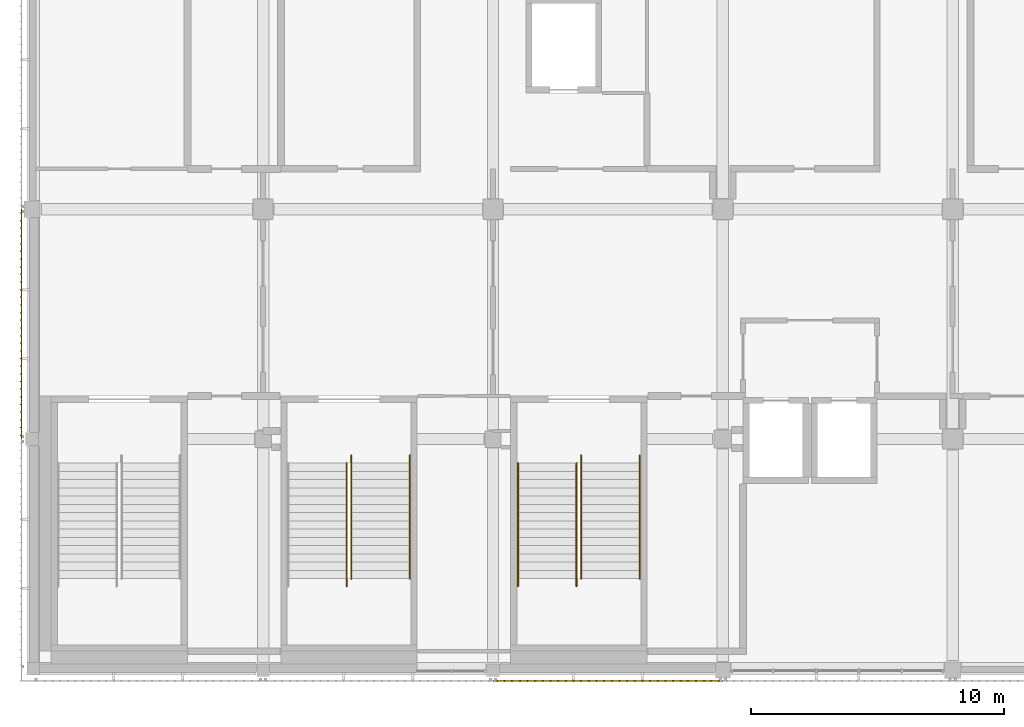
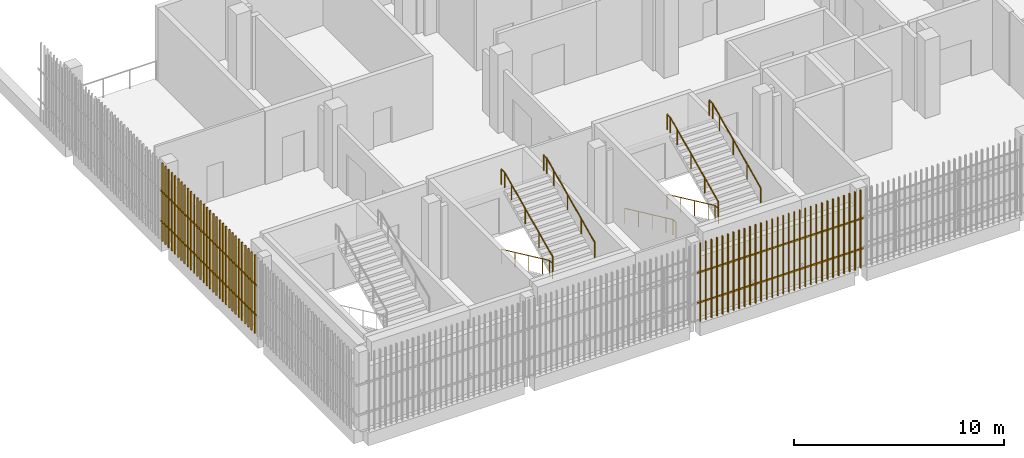
# One storey, part 88 of 104: 7 railings, 2 shading devices.
"""IFC4 building model written with IfcOpenShell, lengths in metres."""

from ifc_helpers import new_model, si_unit, direction, frame, origin, origin_2d, place, context, subcontext, project, spatial, rectangle, circle, extrude, material, type_object, element, save


model = new_model("IFC4")

# Units and contexts
model_context = context("Model", 3, precision=1e-05, world=origin(), true_north=direction((0.0, 1.0)))
body_context = subcontext(model_context, "Body", "Model", "MODEL_VIEW")
ifc_project = project(units=[si_unit("LENGTHUNIT", "METRE"), si_unit("AREAUNIT", "SQUARE_METRE"), si_unit("VOLUMEUNIT", "CUBIC_METRE"), si_unit("PLANEANGLEUNIT", "RADIAN"), si_unit("MASSUNIT", "GRAM", prefix="KILO")], contexts=[model_context])

# Site, building, storey
site_placement = place(None, origin())
site = spatial("IfcSite", under=ifc_project, at=site_placement, CompositionType="ELEMENT")
building_placement = place(site_placement, origin())
building = spatial("IfcBuilding", under=site, at=building_placement, Name="Shirokan Park Arena", CompositionType="ELEMENT")
storey_placement = place(building_placement, frame((0.0, 0.0, 10.919921875)))
storey = spatial("IfcBuildingStorey", under=building, at=storey_placement, Name="L02", CompositionType="ELEMENT", Elevation=10.919921875)

# Railings
ifc_material_1 = material(Name="Stainless steel", Category="steel")
railing_type = type_object("IfcRailingType", Name="Stair handrail 900", PredefinedType="HANDRAIL", material=ifc_material_1)
railing_1_placement = place(storey_placement, frame((12.409912109375, 8.14990234375, 0.15185546875)))
element("IfcRailing", 1, at=railing_1_placement, inside=storey, type_object=railing_type, Name="Handrail Exit Stair 1.B L02 to L03", PredefinedType="HANDRAIL", context=body_context, shape_type="SweptSolid", body=[
    extrude(circle(Radius=0.02392578125, at=origin_2d()), frame((0.0, 0.0, 0.8759765625), z_axis=(0.0, -0.907064445915, 0.420991794405), x_axis=(1.0, 0.0, 0.0)), (0.0, 0.0, 1.0), 1.4404296875),
    extrude(circle(Radius=0.02392578125, at=origin_2d()), frame((0.0, -1.306640625, 1.482421875), z_axis=(0.0, -0.907029769225, 0.421066500378), x_axis=(1.0, 0.0, 0.0)), (0.0, 0.0, 1.0), 1.44091796875),
    extrude(circle(Radius=0.02392578125, at=origin_2d()), frame((0.0, -2.613525390625, 2.0888671875), z_axis=(0.0, -0.907029769225, 0.421066500378), x_axis=(1.0, 0.0, 0.0)), (0.0, 0.0, 1.0), 1.44091796875),
    extrude(circle(Radius=0.02392578125, at=origin_2d()), frame((0.0, -3.92041015625, 2.69580078125), z_axis=(0.0, -0.906934982928, 0.421270621741), x_axis=(1.0, 0.0, 0.0)), (0.0, 0.0, 1.0), 0.720458984375),
    extrude(circle(Radius=0.02392578125, at=origin_2d()), frame((0.0, -4.57373046875, 2.9990234375), z_axis=(0.0, -1.0, 0.0), x_axis=(1.0, 0.0, 0.0)), (0.0, 0.0, 1.0), 0.300048828125),
    extrude(circle(Radius=0.02099609375, at=origin_2d()), origin(), (0.0, 0.0, 1.0), 0.851806640625),
    extrude(circle(Radius=0.02099609375, at=origin_2d()), frame((0.0, -1.306640625, 0.6064453125)), (0.0, 0.0, 1.0), 0.851806640625),
    extrude(circle(Radius=0.02099609375, at=origin_2d()), frame((0.0, -2.613525390625, 1.213134765625)), (0.0, 0.0, 1.0), 0.851806640625),
    extrude(circle(Radius=0.02099609375, at=origin_2d()), frame((0.0, -3.92041015625, 1.81982421875)), (0.0, 0.0, 1.0), 0.851806640625),
    extrude(circle(Radius=0.02099609375, at=origin_2d()), frame((0.0, -4.57373046875, 2.123291015625)), (0.0, 0.0, 1.0), 0.851806640625),
    extrude(circle(Radius=0.02099609375, at=origin_2d()), frame((0.0, -4.873779296875, 2.123291015625)), (0.0, 0.0, 1.0), 0.851806640625),
])
railing_2_placement = place(storey_placement, frame((12.590087890625, 3.576171875, 2.4267578125)))
element("IfcRailing", 2, at=railing_2_placement, inside=storey, type_object=railing_type, Name="Handrail Exit Stair 1.B L02 to L03", PredefinedType="HANDRAIL", context=body_context, shape_type="SweptSolid", body=[
    extrude(circle(Radius=0.02392578125, at=origin_2d()), frame((0.0, 0.0, 0.8759765625), z_axis=(0.0, 0.907029769225, 0.421066500378), x_axis=(-1.0, 0.0, 0.0)), (0.0, 0.0, 1.0), 1.44091796875),
    extrude(circle(Radius=0.02392578125, at=origin_2d()), frame((0.0, 1.306884765625, 1.482421875), z_axis=(0.0, 0.906999720516, 0.421131222998), x_axis=(-1.0, 0.0, 0.0)), (0.0, 0.0, 1.0), 1.440673828125),
    extrude(circle(Radius=0.02392578125, at=origin_2d()), frame((0.0, 2.613525390625, 2.08935546875), z_axis=(0.0, 0.907029769225, 0.421066500378), x_axis=(-1.0, 0.0, 0.0)), (0.0, 0.0, 1.0), 1.44091796875),
    extrude(circle(Radius=0.02392578125, at=origin_2d()), frame((0.0, 3.92041015625, 2.69580078125), z_axis=(0.0, 0.907064445915, 0.420991794405), x_axis=(-1.0, 0.0, 0.0)), (0.0, 0.0, 1.0), 0.72021484375),
    extrude(circle(Radius=0.02392578125, at=origin_2d()), frame((0.0, 4.57373046875, 2.9990234375), z_axis=(0.0, 1.0, 0.0), x_axis=(-1.0, 0.0, 0.0)), (0.0, 0.0, 1.0), 0.300048828125),
    extrude(circle(Radius=0.02099609375, at=origin_2d()), origin(), (0.0, 0.0, 1.0), 0.851806640625),
    extrude(circle(Radius=0.02099609375, at=origin_2d()), frame((0.0, 1.306884765625, 0.606689453125)), (0.0, 0.0, 1.0), 0.851806640625),
    extrude(circle(Radius=0.02099609375, at=origin_2d()), frame((0.0, 2.613525390625, 1.21337890625)), (0.0, 0.0, 1.0), 0.851806640625),
    extrude(circle(Radius=0.02099609375, at=origin_2d()), frame((0.0, 3.92041015625, 1.820068359375)), (0.0, 0.0, 1.0), 0.851806640625),
    extrude(circle(Radius=0.02099609375, at=origin_2d()), frame((0.0, 4.57373046875, 2.123291015625)), (0.0, 0.0, 1.0), 0.851806640625),
    extrude(circle(Radius=0.02099609375, at=origin_2d()), frame((0.0, 4.873779296875, 2.123291015625)), (0.0, 0.0, 1.0), 0.851806640625),
])
railing_3_placement = place(storey_placement, frame((14.909912109375, 3.576171875, 2.4267578125)))
element("IfcRailing", 3, at=railing_3_placement, inside=storey, type_object=railing_type, Name="Handrail Exit Stair 1.B L02 to L03", PredefinedType="HANDRAIL", context=body_context, shape_type="SweptSolid", body=[
    extrude(circle(Radius=0.02392578125, at=origin_2d()), frame((0.0, 0.0, 0.8759765625), z_axis=(0.0, 0.907029769225, 0.421066500378), x_axis=(-1.0, 0.0, 0.0)), (0.0, 0.0, 1.0), 1.44091796875),
    extrude(circle(Radius=0.02392578125, at=origin_2d()), frame((0.0, 1.306884765625, 1.482421875), z_axis=(0.0, 0.906999720516, 0.421131222998), x_axis=(-1.0, 0.0, 0.0)), (0.0, 0.0, 1.0), 1.440673828125),
    extrude(circle(Radius=0.02392578125, at=origin_2d()), frame((0.0, 2.613525390625, 2.08935546875), z_axis=(0.0, 0.907029769225, 0.421066500378), x_axis=(-1.0, 0.0, 0.0)), (0.0, 0.0, 1.0), 1.44091796875),
    extrude(circle(Radius=0.02392578125, at=origin_2d()), frame((0.0, 3.92041015625, 2.69580078125), z_axis=(0.0, 0.907064445915, 0.420991794405), x_axis=(-1.0, 0.0, 0.0)), (0.0, 0.0, 1.0), 0.72021484375),
    extrude(circle(Radius=0.02392578125, at=origin_2d()), frame((0.0, 4.57373046875, 2.9990234375), z_axis=(0.0, 1.0, 0.0), x_axis=(-1.0, 0.0, 0.0)), (0.0, 0.0, 1.0), 0.300048828125),
    extrude(circle(Radius=0.02099609375, at=origin_2d()), origin(), (0.0, 0.0, 1.0), 0.851806640625),
    extrude(circle(Radius=0.02099609375, at=origin_2d()), frame((0.0, 1.306884765625, 0.606689453125)), (0.0, 0.0, 1.0), 0.851806640625),
    extrude(circle(Radius=0.02099609375, at=origin_2d()), frame((0.0, 2.613525390625, 1.21337890625)), (0.0, 0.0, 1.0), 0.851806640625),
    extrude(circle(Radius=0.02099609375, at=origin_2d()), frame((0.0, 3.92041015625, 1.820068359375)), (0.0, 0.0, 1.0), 0.851806640625),
    extrude(circle(Radius=0.02099609375, at=origin_2d()), frame((0.0, 4.57373046875, 2.123291015625)), (0.0, 0.0, 1.0), 0.851806640625),
    extrude(circle(Radius=0.02099609375, at=origin_2d()), frame((0.0, 4.873779296875, 2.123291015625)), (0.0, 0.0, 1.0), 0.851806640625),
])
railing_4_placement = place(storey_placement, frame((19.18994140625, 8.14990234375, 0.15185546875)))
element("IfcRailing", 4, at=railing_4_placement, inside=storey, type_object=railing_type, Name="Handrail Exit Stair 1.C L02 to L03", PredefinedType="HANDRAIL", context=body_context, shape_type="SweptSolid", body=[
    extrude(circle(Radius=0.02392578125, at=origin_2d()), frame((0.0, 0.0, 0.8759765625), z_axis=(0.0, -0.907064445915, 0.420991794405), x_axis=(1.0, 0.0, 0.0)), (0.0, 0.0, 1.0), 1.4404296875),
    extrude(circle(Radius=0.02392578125, at=origin_2d()), frame((0.0, -1.306640625, 1.482421875), z_axis=(0.0, -0.907029769225, 0.421066500378), x_axis=(1.0, 0.0, 0.0)), (0.0, 0.0, 1.0), 1.44091796875),
    extrude(circle(Radius=0.02392578125, at=origin_2d()), frame((0.0, -2.613525390625, 2.0888671875), z_axis=(0.0, -0.907029769225, 0.421066500378), x_axis=(1.0, 0.0, 0.0)), (0.0, 0.0, 1.0), 1.44091796875),
    extrude(circle(Radius=0.02392578125, at=origin_2d()), frame((0.0, -3.92041015625, 2.69580078125), z_axis=(0.0, -0.906934982928, 0.421270621741), x_axis=(1.0, 0.0, 0.0)), (0.0, 0.0, 1.0), 0.720458984375),
    extrude(circle(Radius=0.02392578125, at=origin_2d()), frame((0.0, -4.57373046875, 2.9990234375), z_axis=(0.0, -1.0, 0.0), x_axis=(1.0, 0.0, 0.0)), (0.0, 0.0, 1.0), 0.300048828125),
    extrude(circle(Radius=0.02099609375, at=origin_2d()), origin(), (0.0, 0.0, 1.0), 0.851806640625),
    extrude(circle(Radius=0.02099609375, at=origin_2d()), frame((0.0, -1.306640625, 0.6064453125)), (0.0, 0.0, 1.0), 0.851806640625),
    extrude(circle(Radius=0.02099609375, at=origin_2d()), frame((0.0, -2.613525390625, 1.213134765625)), (0.0, 0.0, 1.0), 0.851806640625),
    extrude(circle(Radius=0.02099609375, at=origin_2d()), frame((0.0, -3.92041015625, 1.81982421875)), (0.0, 0.0, 1.0), 0.851806640625),
    extrude(circle(Radius=0.02099609375, at=origin_2d()), frame((0.0, -4.57373046875, 2.123291015625)), (0.0, 0.0, 1.0), 0.851806640625),
    extrude(circle(Radius=0.02099609375, at=origin_2d()), frame((0.0, -4.873779296875, 2.123291015625)), (0.0, 0.0, 1.0), 0.851806640625),
])
railing_5_placement = place(storey_placement, frame((21.510009765625, 8.14990234375, 0.15185546875)))
element("IfcRailing", 5, at=railing_5_placement, inside=storey, type_object=railing_type, Name="Handrail Exit Stair 1.C L02 to L03", PredefinedType="HANDRAIL", context=body_context, shape_type="SweptSolid", body=[
    extrude(circle(Radius=0.02392578125, at=origin_2d()), frame((0.0, 0.0, 0.8759765625), z_axis=(0.0, -0.907064445915, 0.420991794405), x_axis=(1.0, 0.0, 0.0)), (0.0, 0.0, 1.0), 1.4404296875),
    extrude(circle(Radius=0.02392578125, at=origin_2d()), frame((0.0, -1.306640625, 1.482421875), z_axis=(0.0, -0.907029769225, 0.421066500378), x_axis=(1.0, 0.0, 0.0)), (0.0, 0.0, 1.0), 1.44091796875),
    extrude(circle(Radius=0.02392578125, at=origin_2d()), frame((0.0, -2.613525390625, 2.0888671875), z_axis=(0.0, -0.907029769225, 0.421066500378), x_axis=(1.0, 0.0, 0.0)), (0.0, 0.0, 1.0), 1.44091796875),
    extrude(circle(Radius=0.02392578125, at=origin_2d()), frame((0.0, -3.92041015625, 2.69580078125), z_axis=(0.0, -0.906934982928, 0.421270621741), x_axis=(1.0, 0.0, 0.0)), (0.0, 0.0, 1.0), 0.720458984375),
    extrude(circle(Radius=0.02392578125, at=origin_2d()), frame((0.0, -4.57373046875, 2.9990234375), z_axis=(0.0, -1.0, 0.0), x_axis=(1.0, 0.0, 0.0)), (0.0, 0.0, 1.0), 0.300048828125),
    extrude(circle(Radius=0.02099609375, at=origin_2d()), origin(), (0.0, 0.0, 1.0), 0.851806640625),
    extrude(circle(Radius=0.02099609375, at=origin_2d()), frame((0.0, -1.306640625, 0.6064453125)), (0.0, 0.0, 1.0), 0.851806640625),
    extrude(circle(Radius=0.02099609375, at=origin_2d()), frame((0.0, -2.613525390625, 1.213134765625)), (0.0, 0.0, 1.0), 0.851806640625),
    extrude(circle(Radius=0.02099609375, at=origin_2d()), frame((0.0, -3.92041015625, 1.81982421875)), (0.0, 0.0, 1.0), 0.851806640625),
    extrude(circle(Radius=0.02099609375, at=origin_2d()), frame((0.0, -4.57373046875, 2.123291015625)), (0.0, 0.0, 1.0), 0.851806640625),
    extrude(circle(Radius=0.02099609375, at=origin_2d()), frame((0.0, -4.873779296875, 2.123291015625)), (0.0, 0.0, 1.0), 0.851806640625),
])
railing_6_placement = place(storey_placement, frame((21.68994140625, 3.576171875, 2.4267578125)))
element("IfcRailing", 6, at=railing_6_placement, inside=storey, type_object=railing_type, Name="Handrail Exit Stair 1.C L02 to L03", PredefinedType="HANDRAIL", context=body_context, shape_type="SweptSolid", body=[
    extrude(circle(Radius=0.02392578125, at=origin_2d()), frame((0.0, 0.0, 0.8759765625), z_axis=(0.0, 0.907029769225, 0.421066500378), x_axis=(-1.0, 0.0, 0.0)), (0.0, 0.0, 1.0), 1.44091796875),
    extrude(circle(Radius=0.02392578125, at=origin_2d()), frame((0.0, 1.306884765625, 1.482421875), z_axis=(0.0, 0.906999720516, 0.421131222998), x_axis=(-1.0, 0.0, 0.0)), (0.0, 0.0, 1.0), 1.440673828125),
    extrude(circle(Radius=0.02392578125, at=origin_2d()), frame((0.0, 2.613525390625, 2.08935546875), z_axis=(0.0, 0.907029769225, 0.421066500378), x_axis=(-1.0, 0.0, 0.0)), (0.0, 0.0, 1.0), 1.44091796875),
    extrude(circle(Radius=0.02392578125, at=origin_2d()), frame((0.0, 3.92041015625, 2.69580078125), z_axis=(0.0, 0.907064445915, 0.420991794405), x_axis=(-1.0, 0.0, 0.0)), (0.0, 0.0, 1.0), 0.72021484375),
    extrude(circle(Radius=0.02392578125, at=origin_2d()), frame((0.0, 4.57373046875, 2.9990234375), z_axis=(0.0, 1.0, 0.0), x_axis=(-1.0, 0.0, 0.0)), (0.0, 0.0, 1.0), 0.300048828125),
    extrude(circle(Radius=0.02099609375, at=origin_2d()), origin(), (0.0, 0.0, 1.0), 0.851806640625),
    extrude(circle(Radius=0.02099609375, at=origin_2d()), frame((0.0, 1.306884765625, 0.606689453125)), (0.0, 0.0, 1.0), 0.851806640625),
    extrude(circle(Radius=0.02099609375, at=origin_2d()), frame((0.0, 2.613525390625, 1.21337890625)), (0.0, 0.0, 1.0), 0.851806640625),
    extrude(circle(Radius=0.02099609375, at=origin_2d()), frame((0.0, 3.92041015625, 1.820068359375)), (0.0, 0.0, 1.0), 0.851806640625),
    extrude(circle(Radius=0.02099609375, at=origin_2d()), frame((0.0, 4.57373046875, 2.123291015625)), (0.0, 0.0, 1.0), 0.851806640625),
    extrude(circle(Radius=0.02099609375, at=origin_2d()), frame((0.0, 4.873779296875, 2.123291015625)), (0.0, 0.0, 1.0), 0.851806640625),
])
railing_7_placement = place(storey_placement, frame((24.010009765625, 3.576171875, 2.4267578125)))
element("IfcRailing", 7, at=railing_7_placement, inside=storey, type_object=railing_type, Name="Handrail Exit Stair 1.C L02 to L03", PredefinedType="HANDRAIL", context=body_context, shape_type="SweptSolid", body=[
    extrude(circle(Radius=0.02392578125, at=origin_2d()), frame((0.0, 0.0, 0.8759765625), z_axis=(0.0, 0.907029769225, 0.421066500378), x_axis=(-1.0, 0.0, 0.0)), (0.0, 0.0, 1.0), 1.44091796875),
    extrude(circle(Radius=0.02392578125, at=origin_2d()), frame((0.0, 1.306884765625, 1.482421875), z_axis=(0.0, 0.906999720516, 0.421131222998), x_axis=(-1.0, 0.0, 0.0)), (0.0, 0.0, 1.0), 1.440673828125),
    extrude(circle(Radius=0.02392578125, at=origin_2d()), frame((0.0, 2.613525390625, 2.08935546875), z_axis=(0.0, 0.907029769225, 0.421066500378), x_axis=(-1.0, 0.0, 0.0)), (0.0, 0.0, 1.0), 1.44091796875),
    extrude(circle(Radius=0.02392578125, at=origin_2d()), frame((0.0, 3.92041015625, 2.69580078125), z_axis=(0.0, 0.907064445915, 0.420991794405), x_axis=(-1.0, 0.0, 0.0)), (0.0, 0.0, 1.0), 0.72021484375),
    extrude(circle(Radius=0.02392578125, at=origin_2d()), frame((0.0, 4.57373046875, 2.9990234375), z_axis=(0.0, 1.0, 0.0), x_axis=(-1.0, 0.0, 0.0)), (0.0, 0.0, 1.0), 0.300048828125),
    extrude(circle(Radius=0.02099609375, at=origin_2d()), origin(), (0.0, 0.0, 1.0), 0.851806640625),
    extrude(circle(Radius=0.02099609375, at=origin_2d()), frame((0.0, 1.306884765625, 0.606689453125)), (0.0, 0.0, 1.0), 0.851806640625),
    extrude(circle(Radius=0.02099609375, at=origin_2d()), frame((0.0, 2.613525390625, 1.21337890625)), (0.0, 0.0, 1.0), 0.851806640625),
    extrude(circle(Radius=0.02099609375, at=origin_2d()), frame((0.0, 3.92041015625, 1.820068359375)), (0.0, 0.0, 1.0), 0.851806640625),
    extrude(circle(Radius=0.02099609375, at=origin_2d()), frame((0.0, 4.57373046875, 2.123291015625)), (0.0, 0.0, 1.0), 0.851806640625),
    extrude(circle(Radius=0.02099609375, at=origin_2d()), frame((0.0, 4.873779296875, 2.123291015625)), (0.0, 0.0, 1.0), 0.851806640625),
])

# Shading devices
ifc_material_2 = material(Name="Timber louvre veil (cedar)", Category="wood")
shading_device_type = type_object("IfcShadingDeviceType", Name="Timber louvre veil panel", PredefinedType="JALOUSIE", material=ifc_material_2)
shading_device_1_placement = place(storey_placement, origin())
element("IfcShadingDevice", 8, at=shading_device_1_placement, inside=storey, type_object=shading_device_type, Name="Timber louvre veil south bay 3 L02", PredefinedType="JALOUSIE", context=body_context, shape_type="SweptSolid", body=[
    extrude(rectangle(XDim=0.050048828125, YDim=0.080078125, at=origin_2d()), frame((18.3515625, -0.485107421875, 0.0), z_axis=(0.0, 0.0, 1.0), x_axis=(1.0, 0.0, 0.0)), (0.0, 0.0, 1.0), 4.550048828125),
    extrude(rectangle(XDim=0.050048828125, YDim=0.080078125, at=origin_2d()), frame((18.655029296875, -0.485107421875, 0.0), z_axis=(0.0, 0.0, 1.0), x_axis=(1.0, 0.0, 0.0)), (0.0, 0.0, 1.0), 4.550048828125),
    extrude(rectangle(XDim=0.050048828125, YDim=0.080078125, at=origin_2d()), frame((18.958251953125, -0.485107421875, 0.0), z_axis=(0.0, 0.0, 1.0), x_axis=(1.0, 0.0, 0.0)), (0.0, 0.0, 1.0), 4.550048828125),
    extrude(rectangle(XDim=0.050048828125, YDim=0.080078125, at=origin_2d()), frame((19.26171875, -0.485107421875, 0.0), z_axis=(0.0, 0.0, 1.0), x_axis=(1.0, 0.0, 0.0)), (0.0, 0.0, 1.0), 4.550048828125),
    extrude(rectangle(XDim=0.050048828125, YDim=0.080078125, at=origin_2d()), frame((19.56494140625, -0.485107421875, 0.0), z_axis=(0.0, 0.0, 1.0), x_axis=(1.0, 0.0, 0.0)), (0.0, 0.0, 1.0), 4.550048828125),
    extrude(rectangle(XDim=0.050048828125, YDim=0.080078125, at=origin_2d()), frame((19.868408203125, -0.485107421875, 0.0), z_axis=(0.0, 0.0, 1.0), x_axis=(1.0, 0.0, 0.0)), (0.0, 0.0, 1.0), 4.550048828125),
    extrude(rectangle(XDim=0.050048828125, YDim=0.080078125, at=origin_2d()), frame((20.171630859375, -0.485107421875, 0.0), z_axis=(0.0, 0.0, 1.0), x_axis=(1.0, 0.0, 0.0)), (0.0, 0.0, 1.0), 4.550048828125),
    extrude(rectangle(XDim=0.050048828125, YDim=0.080078125, at=origin_2d()), frame((20.47509765625, -0.485107421875, 0.0), z_axis=(0.0, 0.0, 1.0), x_axis=(1.0, 0.0, 0.0)), (0.0, 0.0, 1.0), 4.550048828125),
    extrude(rectangle(XDim=0.050048828125, YDim=0.080078125, at=origin_2d()), frame((20.7783203125, -0.485107421875, 0.0), z_axis=(0.0, 0.0, 1.0), x_axis=(1.0, 0.0, 0.0)), (0.0, 0.0, 1.0), 4.550048828125),
    extrude(rectangle(XDim=0.050048828125, YDim=0.080078125, at=origin_2d()), frame((21.081787109375, -0.485107421875, 0.0), z_axis=(0.0, 0.0, 1.0), x_axis=(1.0, 0.0, 0.0)), (0.0, 0.0, 1.0), 4.550048828125),
    extrude(rectangle(XDim=0.050048828125, YDim=0.080078125, at=origin_2d()), frame((21.385009765625, -0.485107421875, 0.0), z_axis=(0.0, 0.0, 1.0), x_axis=(1.0, 0.0, 0.0)), (0.0, 0.0, 1.0), 4.550048828125),
    extrude(rectangle(XDim=0.050048828125, YDim=0.080078125, at=origin_2d()), frame((21.688232421875, -0.485107421875, 0.0), z_axis=(0.0, 0.0, 1.0), x_axis=(1.0, 0.0, 0.0)), (0.0, 0.0, 1.0), 4.550048828125),
    extrude(rectangle(XDim=0.050048828125, YDim=0.080078125, at=origin_2d()), frame((21.99169921875, -0.485107421875, 0.0), z_axis=(0.0, 0.0, 1.0), x_axis=(1.0, 0.0, 0.0)), (0.0, 0.0, 1.0), 4.550048828125),
    extrude(rectangle(XDim=0.050048828125, YDim=0.080078125, at=origin_2d()), frame((22.294921875, -0.485107421875, 0.0), z_axis=(0.0, 0.0, 1.0), x_axis=(1.0, 0.0, 0.0)), (0.0, 0.0, 1.0), 4.550048828125),
    extrude(rectangle(XDim=0.050048828125, YDim=0.080078125, at=origin_2d()), frame((22.598388671875, -0.485107421875, 0.0), z_axis=(0.0, 0.0, 1.0), x_axis=(1.0, 0.0, 0.0)), (0.0, 0.0, 1.0), 4.550048828125),
    extrude(rectangle(XDim=0.050048828125, YDim=0.080078125, at=origin_2d()), frame((22.901611328125, -0.485107421875, 0.0), z_axis=(0.0, 0.0, 1.0), x_axis=(1.0, 0.0, 0.0)), (0.0, 0.0, 1.0), 4.550048828125),
    extrude(rectangle(XDim=0.050048828125, YDim=0.080078125, at=origin_2d()), frame((23.205078125, -0.485107421875, 0.0), z_axis=(0.0, 0.0, 1.0), x_axis=(1.0, 0.0, 0.0)), (0.0, 0.0, 1.0), 4.550048828125),
    extrude(rectangle(XDim=0.050048828125, YDim=0.080078125, at=origin_2d()), frame((23.50830078125, -0.485107421875, 0.0), z_axis=(0.0, 0.0, 1.0), x_axis=(1.0, 0.0, 0.0)), (0.0, 0.0, 1.0), 4.550048828125),
    extrude(rectangle(XDim=0.050048828125, YDim=0.080078125, at=origin_2d()), frame((23.811767578125, -0.485107421875, 0.0), z_axis=(0.0, 0.0, 1.0), x_axis=(1.0, 0.0, 0.0)), (0.0, 0.0, 1.0), 4.550048828125),
    extrude(rectangle(XDim=0.050048828125, YDim=0.080078125, at=origin_2d()), frame((24.114990234375, -0.485107421875, 0.0), z_axis=(0.0, 0.0, 1.0), x_axis=(1.0, 0.0, 0.0)), (0.0, 0.0, 1.0), 4.550048828125),
    extrude(rectangle(XDim=0.050048828125, YDim=0.080078125, at=origin_2d()), frame((24.418212890625, -0.485107421875, 0.0), z_axis=(0.0, 0.0, 1.0), x_axis=(1.0, 0.0, 0.0)), (0.0, 0.0, 1.0), 4.550048828125),
    extrude(rectangle(XDim=0.050048828125, YDim=0.080078125, at=origin_2d()), frame((24.7216796875, -0.485107421875, 0.0), z_axis=(0.0, 0.0, 1.0), x_axis=(1.0, 0.0, 0.0)), (0.0, 0.0, 1.0), 4.550048828125),
    extrude(rectangle(XDim=0.050048828125, YDim=0.080078125, at=origin_2d()), frame((25.02490234375, -0.485107421875, 0.0), z_axis=(0.0, 0.0, 1.0), x_axis=(1.0, 0.0, 0.0)), (0.0, 0.0, 1.0), 4.550048828125),
    extrude(rectangle(XDim=0.050048828125, YDim=0.080078125, at=origin_2d()), frame((25.328369140625, -0.485107421875, 0.0), z_axis=(0.0, 0.0, 1.0), x_axis=(1.0, 0.0, 0.0)), (0.0, 0.0, 1.0), 4.550048828125),
    extrude(rectangle(XDim=0.050048828125, YDim=0.080078125, at=origin_2d()), frame((25.631591796875, -0.485107421875, 0.0), z_axis=(0.0, 0.0, 1.0), x_axis=(1.0, 0.0, 0.0)), (0.0, 0.0, 1.0), 4.550048828125),
    extrude(rectangle(XDim=0.050048828125, YDim=0.080078125, at=origin_2d()), frame((25.93505859375, -0.485107421875, 0.0), z_axis=(0.0, 0.0, 1.0), x_axis=(1.0, 0.0, 0.0)), (0.0, 0.0, 1.0), 4.550048828125),
    extrude(rectangle(XDim=0.050048828125, YDim=0.080078125, at=origin_2d()), frame((26.23828125, -0.485107421875, 0.0), z_axis=(0.0, 0.0, 1.0), x_axis=(1.0, 0.0, 0.0)), (0.0, 0.0, 1.0), 4.550048828125),
    extrude(rectangle(XDim=0.050048828125, YDim=0.080078125, at=origin_2d()), frame((26.541748046875, -0.485107421875, 0.0), z_axis=(0.0, 0.0, 1.0), x_axis=(1.0, 0.0, 0.0)), (0.0, 0.0, 1.0), 4.550048828125),
    extrude(rectangle(XDim=0.050048828125, YDim=0.080078125, at=origin_2d()), frame((26.844970703125, -0.485107421875, 0.0), z_axis=(0.0, 0.0, 1.0), x_axis=(1.0, 0.0, 0.0)), (0.0, 0.0, 1.0), 4.550048828125),
    extrude(rectangle(XDim=0.050048828125, YDim=0.080078125, at=origin_2d()), frame((27.1484375, -0.485107421875, 0.0), z_axis=(0.0, 0.0, 1.0), x_axis=(1.0, 0.0, 0.0)), (0.0, 0.0, 1.0), 4.550048828125),
    extrude(rectangle(XDim=9.10009765625, YDim=0.050048828125, at=origin_2d()), frame((22.75, -0.469970703125, 1.06005859375), z_axis=(0.0, 0.0, 1.0), x_axis=(1.0, 0.0, 0.0)), (0.0, 0.0, 1.0), 0.080078125),
    extrude(rectangle(XDim=9.10009765625, YDim=0.050048828125, at=origin_2d()), frame((22.75, -0.469970703125, 2.81005859375), z_axis=(0.0, 0.0, 1.0), x_axis=(1.0, 0.0, 0.0)), (0.0, 0.0, 1.0), 0.080078125),
])
shading_device_2_placement = place(storey_placement, origin())
element("IfcShadingDevice", 9, at=shading_device_2_placement, inside=storey, type_object=shading_device_type, Name="Timber louvre veil west bay 11 L02", PredefinedType="JALOUSIE", context=body_context, shape_type="SweptSolid", body=[
    extrude(rectangle(XDim=0.050048828125, YDim=0.080078125, at=origin_2d()), frame((-0.485107421875, 18.04833984375, 0.0), z_axis=(0.0, 0.0, 1.0), x_axis=(0.0, -1.0, 0.0)), (0.0, 0.0, 1.0), 4.550048828125),
    extrude(rectangle(XDim=0.050048828125, YDim=0.080078125, at=origin_2d()), frame((-0.485107421875, 17.7451171875, 0.0), z_axis=(0.0, 0.0, 1.0), x_axis=(0.0, -1.0, 0.0)), (0.0, 0.0, 1.0), 4.550048828125),
    extrude(rectangle(XDim=0.050048828125, YDim=0.080078125, at=origin_2d()), frame((-0.485107421875, 17.441650390625, 0.0), z_axis=(0.0, 0.0, 1.0), x_axis=(0.0, -1.0, 0.0)), (0.0, 0.0, 1.0), 4.550048828125),
    extrude(rectangle(XDim=0.050048828125, YDim=0.080078125, at=origin_2d()), frame((-0.485107421875, 17.138427734375, 0.0), z_axis=(0.0, 0.0, 1.0), x_axis=(0.0, -1.0, 0.0)), (0.0, 0.0, 1.0), 4.550048828125),
    extrude(rectangle(XDim=0.050048828125, YDim=0.080078125, at=origin_2d()), frame((-0.485107421875, 16.8349609375, 0.0), z_axis=(0.0, 0.0, 1.0), x_axis=(0.0, -1.0, 0.0)), (0.0, 0.0, 1.0), 4.550048828125),
    extrude(rectangle(XDim=0.050048828125, YDim=0.080078125, at=origin_2d()), frame((-0.485107421875, 16.53173828125, 0.0), z_axis=(0.0, 0.0, 1.0), x_axis=(0.0, -1.0, 0.0)), (0.0, 0.0, 1.0), 4.550048828125),
    extrude(rectangle(XDim=0.050048828125, YDim=0.080078125, at=origin_2d()), frame((-0.485107421875, 16.228271484375, 0.0), z_axis=(0.0, 0.0, 1.0), x_axis=(0.0, -1.0, 0.0)), (0.0, 0.0, 1.0), 4.550048828125),
    extrude(rectangle(XDim=0.050048828125, YDim=0.080078125, at=origin_2d()), frame((-0.485107421875, 15.925048828125, 0.0), z_axis=(0.0, 0.0, 1.0), x_axis=(0.0, -1.0, 0.0)), (0.0, 0.0, 1.0), 4.550048828125),
    extrude(rectangle(XDim=0.050048828125, YDim=0.080078125, at=origin_2d()), frame((-0.485107421875, 15.62158203125, 0.0), z_axis=(0.0, 0.0, 1.0), x_axis=(0.0, -1.0, 0.0)), (0.0, 0.0, 1.0), 4.550048828125),
    extrude(rectangle(XDim=0.050048828125, YDim=0.080078125, at=origin_2d()), frame((-0.485107421875, 15.318359375, 0.0), z_axis=(0.0, 0.0, 1.0), x_axis=(0.0, -1.0, 0.0)), (0.0, 0.0, 1.0), 4.550048828125),
    extrude(rectangle(XDim=0.050048828125, YDim=0.080078125, at=origin_2d()), frame((-0.485107421875, 15.014892578125, 0.0), z_axis=(0.0, 0.0, 1.0), x_axis=(0.0, -1.0, 0.0)), (0.0, 0.0, 1.0), 4.550048828125),
    extrude(rectangle(XDim=0.050048828125, YDim=0.080078125, at=origin_2d()), frame((-0.485107421875, 14.711669921875, 0.0), z_axis=(0.0, 0.0, 1.0), x_axis=(0.0, -1.0, 0.0)), (0.0, 0.0, 1.0), 4.550048828125),
    extrude(rectangle(XDim=0.050048828125, YDim=0.080078125, at=origin_2d()), frame((-0.485107421875, 14.408447265625, 0.0), z_axis=(0.0, 0.0, 1.0), x_axis=(0.0, -1.0, 0.0)), (0.0, 0.0, 1.0), 4.550048828125),
    extrude(rectangle(XDim=0.050048828125, YDim=0.080078125, at=origin_2d()), frame((-0.485107421875, 14.10498046875, 0.0), z_axis=(0.0, 0.0, 1.0), x_axis=(0.0, -1.0, 0.0)), (0.0, 0.0, 1.0), 4.550048828125),
    extrude(rectangle(XDim=0.050048828125, YDim=0.080078125, at=origin_2d()), frame((-0.485107421875, 13.8017578125, 0.0), z_axis=(0.0, 0.0, 1.0), x_axis=(0.0, -1.0, 0.0)), (0.0, 0.0, 1.0), 4.550048828125),
    extrude(rectangle(XDim=0.050048828125, YDim=0.080078125, at=origin_2d()), frame((-0.485107421875, 13.498291015625, 0.0), z_axis=(0.0, 0.0, 1.0), x_axis=(0.0, -1.0, 0.0)), (0.0, 0.0, 1.0), 4.550048828125),
    extrude(rectangle(XDim=0.050048828125, YDim=0.080078125, at=origin_2d()), frame((-0.485107421875, 13.195068359375, 0.0), z_axis=(0.0, 0.0, 1.0), x_axis=(0.0, -1.0, 0.0)), (0.0, 0.0, 1.0), 4.550048828125),
    extrude(rectangle(XDim=0.050048828125, YDim=0.080078125, at=origin_2d()), frame((-0.485107421875, 12.8916015625, 0.0), z_axis=(0.0, 0.0, 1.0), x_axis=(0.0, -1.0, 0.0)), (0.0, 0.0, 1.0), 4.550048828125),
    extrude(rectangle(XDim=0.050048828125, YDim=0.080078125, at=origin_2d()), frame((-0.485107421875, 12.58837890625, 0.0), z_axis=(0.0, 0.0, 1.0), x_axis=(0.0, -1.0, 0.0)), (0.0, 0.0, 1.0), 4.550048828125),
    extrude(rectangle(XDim=0.050048828125, YDim=0.080078125, at=origin_2d()), frame((-0.485107421875, 12.284912109375, 0.0), z_axis=(0.0, 0.0, 1.0), x_axis=(0.0, -1.0, 0.0)), (0.0, 0.0, 1.0), 4.550048828125),
    extrude(rectangle(XDim=0.050048828125, YDim=0.080078125, at=origin_2d()), frame((-0.485107421875, 11.981689453125, 0.0), z_axis=(0.0, 0.0, 1.0), x_axis=(0.0, -1.0, 0.0)), (0.0, 0.0, 1.0), 4.550048828125),
    extrude(rectangle(XDim=0.050048828125, YDim=0.080078125, at=origin_2d()), frame((-0.485107421875, 11.67822265625, 0.0), z_axis=(0.0, 0.0, 1.0), x_axis=(0.0, -1.0, 0.0)), (0.0, 0.0, 1.0), 4.550048828125),
    extrude(rectangle(XDim=0.050048828125, YDim=0.080078125, at=origin_2d()), frame((-0.485107421875, 11.375, 0.0), z_axis=(0.0, 0.0, 1.0), x_axis=(0.0, -1.0, 0.0)), (0.0, 0.0, 1.0), 4.550048828125),
    extrude(rectangle(XDim=0.050048828125, YDim=0.080078125, at=origin_2d()), frame((-0.485107421875, 11.07177734375, 0.0), z_axis=(0.0, 0.0, 1.0), x_axis=(0.0, -1.0, 0.0)), (0.0, 0.0, 1.0), 4.550048828125),
    extrude(rectangle(XDim=0.050048828125, YDim=0.080078125, at=origin_2d()), frame((-0.485107421875, 10.768310546875, 0.0), z_axis=(0.0, 0.0, 1.0), x_axis=(0.0, -1.0, 0.0)), (0.0, 0.0, 1.0), 4.550048828125),
    extrude(rectangle(XDim=0.050048828125, YDim=0.080078125, at=origin_2d()), frame((-0.485107421875, 10.465087890625, 0.0), z_axis=(0.0, 0.0, 1.0), x_axis=(0.0, -1.0, 0.0)), (0.0, 0.0, 1.0), 4.550048828125),
    extrude(rectangle(XDim=0.050048828125, YDim=0.080078125, at=origin_2d()), frame((-0.485107421875, 10.16162109375, 0.0), z_axis=(0.0, 0.0, 1.0), x_axis=(0.0, -1.0, 0.0)), (0.0, 0.0, 1.0), 4.550048828125),
    extrude(rectangle(XDim=0.050048828125, YDim=0.080078125, at=origin_2d()), frame((-0.485107421875, 9.8583984375, 0.0), z_axis=(0.0, 0.0, 1.0), x_axis=(0.0, -1.0, 0.0)), (0.0, 0.0, 1.0), 4.550048828125),
    extrude(rectangle(XDim=0.050048828125, YDim=0.080078125, at=origin_2d()), frame((-0.485107421875, 9.554931640625, 0.0), z_axis=(0.0, 0.0, 1.0), x_axis=(0.0, -1.0, 0.0)), (0.0, 0.0, 1.0), 4.550048828125),
    extrude(rectangle(XDim=0.050048828125, YDim=0.080078125, at=origin_2d()), frame((-0.485107421875, 9.251708984375, 0.0), z_axis=(0.0, 0.0, 1.0), x_axis=(0.0, -1.0, 0.0)), (0.0, 0.0, 1.0), 4.550048828125),
    extrude(rectangle(XDim=9.10009765625, YDim=0.050048828125, at=origin_2d()), frame((-0.469970703125, 13.64990234375, 1.06005859375), z_axis=(0.0, 0.0, 1.0), x_axis=(0.0, -1.0, 0.0)), (0.0, 0.0, 1.0), 0.080078125),
    extrude(rectangle(XDim=9.10009765625, YDim=0.050048828125, at=origin_2d()), frame((-0.469970703125, 13.64990234375, 2.81005859375), z_axis=(0.0, 0.0, 1.0), x_axis=(0.0, -1.0, 0.0)), (0.0, 0.0, 1.0), 0.080078125),
])

save(model, "model.ifc")
